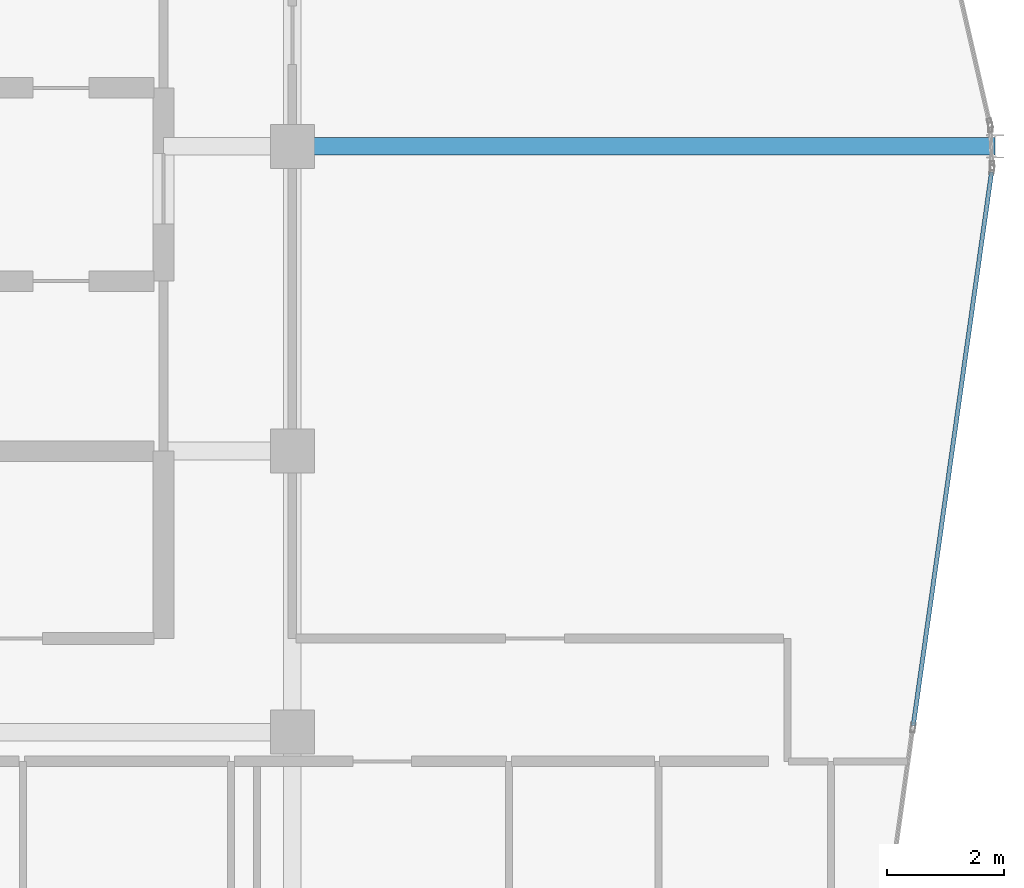
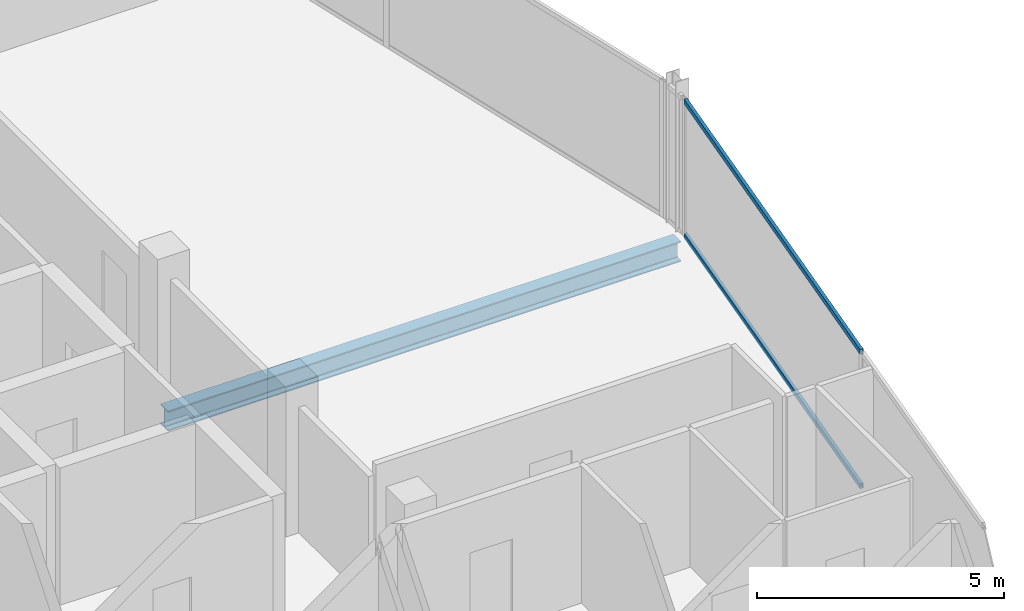
# One storey, part 13 of 27: 2 members, 1 beam, 1 element without a shape of its own.
"""IFC4 building model written with IfcOpenShell, lengths in metres."""

from ifc_helpers import new_model, si_unit, direction, frame, origin, origin_2d, place, context, subcontext, project, spatial, hollow_rectangle, i_section, extrude, material, layer, layer_set, material_profile, profile_set, type_object, element, aggregate, save


model = new_model("IFC4")

# Units and contexts
model_context = context("Model", 3, precision=1e-05, world=origin(), true_north=direction((0.0, 1.0)))
body_context = subcontext(model_context, "Body", "Model", "MODEL_VIEW")
ifc_project = project(units=[si_unit("LENGTHUNIT", "METRE"), si_unit("AREAUNIT", "SQUARE_METRE"), si_unit("VOLUMEUNIT", "CUBIC_METRE"), si_unit("PLANEANGLEUNIT", "RADIAN"), si_unit("MASSUNIT", "GRAM", prefix="KILO")], contexts=[model_context])

# Site, building, storey
site_placement = place(None, origin())
site = spatial("IfcSite", under=ifc_project, at=site_placement, CompositionType="ELEMENT")
building_placement = place(site_placement, origin())
building = spatial("IfcBuilding", under=site, at=building_placement, Name="Keshet Zoharim Tower", CompositionType="ELEMENT")
storey_placement = place(building_placement, frame((0.0, 0.0, 247.300048828125)))
storey = spatial("IfcBuildingStorey", under=building, at=storey_placement, Name="L61", CompositionType="ELEMENT", Elevation=247.300048828125)

# Beam
ifc_material_1 = material(Name="Steel S355", Category="steel")
ifc_material_profile_1 = material_profile(ifc_material_1, i_section(OverallWidth=0.300048828125, OverallDepth=0.5, WebThickness=0.014404296875, FlangeThickness=0.028076171875, FilletRadius=0.027099609375, at=origin_2d()), Name="HEB500")
ifc_profile_set_1 = profile_set([ifc_material_profile_1], Name="Steel S355")
beam_type = type_object("IfcBeamType", Name="BM-MED-HB500", PredefinedType="BEAM", material=ifc_profile_set_1)
beam_placement = place(storey_placement, frame((33.0, 27.89990234375, -0.56005859375), z_axis=(1.0, 0.0, 0.0), x_axis=(0.0, 1.0, 0.0)))
element("IfcBeam", 1, at=beam_placement, inside=storey, type_object=beam_type, Name="L61 Primary Girder X-007", PredefinedType="BEAM", context=body_context, shape_type="SweptSolid", body=[
    extrude(i_section(OverallWidth=0.300048828125, OverallDepth=0.5, WebThickness=0.014404296875, FlangeThickness=0.028076171875, FilletRadius=0.027099609375, at=origin_2d()), origin(), (0.0, 0.0, 1.0), 12.0),
])

# Curtain wall, members
ifc_material_2 = material(Name="Aluminium 6063-T6", Category="aluminium")
ifc_layer = layer(ifc_material_2, 0.260009765625)
ifc_layer_set = layer_set([ifc_layer], Name="Aluminium 6063-T6")
curtain_wall_type = type_object("IfcCurtainWallType", Name="CW-SYS-06", PredefinedType="NOTDEFINED", material=ifc_layer_set)
curtain_wall_placement = place(storey_placement, origin())
curtain_wall = element("IfcCurtainWall", 2, at=curtain_wall_placement, inside=storey, type_object=curtain_wall_type, Name="L61 Unitised Curtain Wall 11", PredefinedType="NOTDEFINED")
ifc_material_profile_2 = material_profile(ifc_material_2, hollow_rectangle(XDim=0.074951171875, YDim=0.1201171875, WallThickness=0.00390625, at=origin_2d()), Name="TRN-75x120")
ifc_profile_set_2 = profile_set([ifc_material_profile_2], Name="Aluminium 6063-T6")
member_type = type_object("IfcMemberType", Name="CWT-T12", PredefinedType="USERDEFINED", material=ifc_profile_set_2)
member_1_placement = place(storey_placement, frame((44.938232421875, 27.462646484375, 0.034912109375), z_axis=(-0.140150169695, -0.990130259074, 0.0), x_axis=(0.990130259074, -0.140150169695, 0.0)))
member_1 = element("IfcMember", 3, at=member_1_placement, type_object=member_type, Name="CW-06 transom 1.1", ObjectType="TRANSOM", PredefinedType="USERDEFINED", context=body_context, shape_type="SweptSolid", body=[
    extrude(hollow_rectangle(XDim=0.074951171875, YDim=0.1201171875, WallThickness=0.00390625, at=origin_2d()), origin(), (0.0, 0.0, 1.0), 9.546142578125),
])
member_2_placement = place(storey_placement, frame((44.938232421875, 27.462646484375, 3.35498046875), z_axis=(-0.140150169695, -0.990130259074, 0.0), x_axis=(0.990130259074, -0.140150169695, 0.0)))
member_2 = element("IfcMember", 4, at=member_2_placement, type_object=member_type, Name="CW-06 transom 1.2", ObjectType="TRANSOM", PredefinedType="USERDEFINED", context=body_context, shape_type="SweptSolid", body=[
    extrude(hollow_rectangle(XDim=0.074951171875, YDim=0.1201171875, WallThickness=0.00390625, at=origin_2d()), origin(), (0.0, 0.0, 1.0), 9.546142578125),
])
aggregate(curtain_wall, [member_1, member_2])

save(model, "model.ifc")
